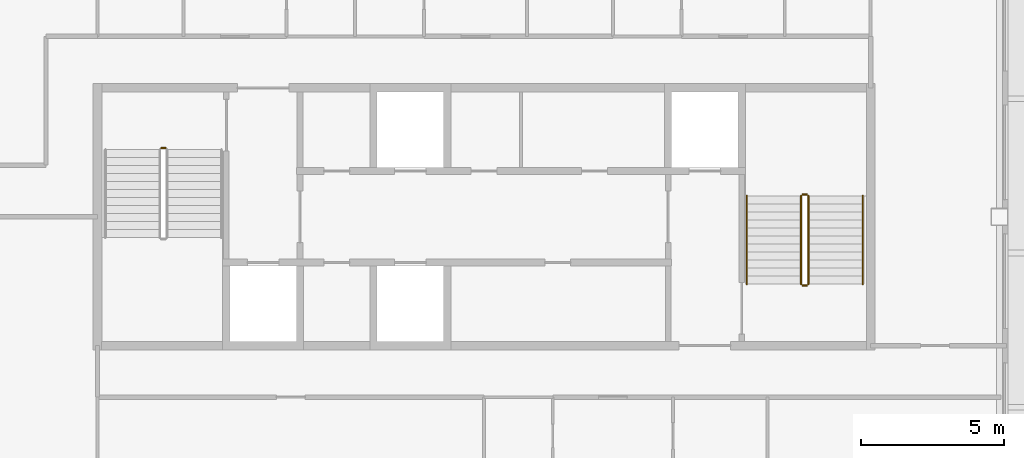
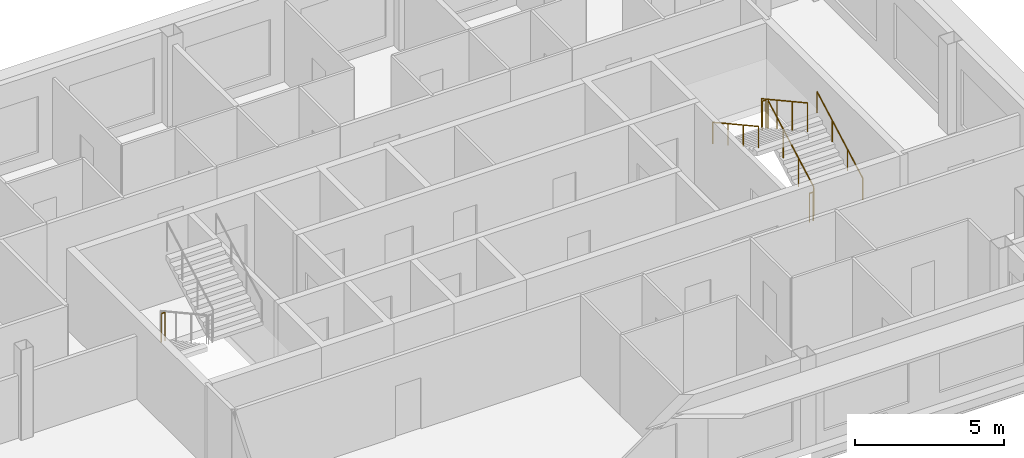
# One storey, part 11 of 11: 7 railings.
"""IFC4 building model written with IfcOpenShell, lengths in metres."""

from ifc_helpers import new_model, si_unit, direction, frame, origin, origin_2d, place, context, subcontext, project, spatial, circle, extrude, material, type_object, element, save


model = new_model("IFC4")

# Units and contexts
model_context = context("Model", 3, precision=1e-05, world=origin(), true_north=direction((0.0, 1.0)))
body_context = subcontext(model_context, "Body", "Model", "MODEL_VIEW")
ifc_project = project(units=[si_unit("LENGTHUNIT", "METRE"), si_unit("AREAUNIT", "SQUARE_METRE"), si_unit("VOLUMEUNIT", "CUBIC_METRE"), si_unit("PLANEANGLEUNIT", "RADIAN"), si_unit("MASSUNIT", "GRAM", prefix="KILO")], contexts=[model_context])

# Site, building, storey
site_placement = place(None, origin())
site = spatial("IfcSite", under=ifc_project, at=site_placement, CompositionType="ELEMENT")
building_placement = place(site_placement, origin())
building = spatial("IfcBuilding", under=site, at=building_placement, Name="Caravel Reach Hotel and Residences", CompositionType="ELEMENT")
storey_placement = place(building_placement, frame((0.0, 0.0, 274.89990234375)))
storey = spatial("IfcBuildingStorey", under=building, at=storey_placement, Name="L70", CompositionType="ELEMENT", Elevation=274.89990234375)

# Railings
ifc_material_1 = material(Name="Steel balustrade with glass infill", Category="steel")
railing_type_1 = type_object("IfcRailingType", Name="Guard 1200", PredefinedType="GUARDRAIL", material=ifc_material_1)
railing_1_placement = place(storey_placement, frame((20.22509765625, 29.39990234375, 0.0)))
element("IfcRailing", 1, at=railing_1_placement, inside=storey, type_object=railing_type_1, Name="L70 ST-A stair guard 4", PredefinedType="GUARDRAIL", context=body_context, shape_type="SweptSolid", body=[
    extrude(circle(Radius=0.02392578125, at=origin_2d()), frame((0.0, 0.0, 1.17578125), z_axis=(1.0, 0.0, 0.0), x_axis=(0.0, 1.0, 0.0)), (0.0, 0.0, 1.0), 0.14990234375),
    extrude(circle(Radius=0.02099609375, at=origin_2d()), origin(), (0.0, 0.0, 1.0), 1.15185546875),
    extrude(circle(Radius=0.02099609375, at=origin_2d()), frame((0.14990234375, 0.0, 0.0)), (0.0, 0.0, 1.0), 1.15185546875),
])
railing_2_placement = place(storey_placement, frame((42.824951171875, 24.64990234375, 0.154296875)))
element("IfcRailing", 2, at=railing_2_placement, inside=storey, type_object=railing_type_1, Name="L70 ST-B stair guard 1", PredefinedType="GUARDRAIL", context=body_context, shape_type="SweptSolid", body=[
    extrude(circle(Radius=0.02392578125, at=origin_2d()), frame((0.0, 0.0, 1.17578125), z_axis=(0.0, 0.876004717809, 0.482302534076), x_axis=(-1.0, 0.0, 0.0)), (0.0, 0.0, 1.0), 3.51611328125),
    extrude(circle(Radius=0.02099609375, at=origin_2d()), origin(), (0.0, 0.0, 1.0), 1.15185546875),
    extrude(circle(Radius=0.02099609375, at=origin_2d()), frame((0.0, 1.026611328125, 0.565185546875)), (0.0, 0.0, 1.0), 1.15185546875),
    extrude(circle(Radius=0.02099609375, at=origin_2d()), frame((0.0, 2.053466796875, 1.130615234375)), (0.0, 0.0, 1.0), 1.15185546875),
    extrude(circle(Radius=0.02099609375, at=origin_2d()), frame((0.0, 3.080078125, 1.69580078125)), (0.0, 0.0, 1.0), 1.15185546875),
])
railing_3_placement = place(storey_placement, frame((42.77490234375, 27.780029296875, 1.85009765625)))
element("IfcRailing", 3, at=railing_3_placement, inside=storey, type_object=railing_type_1, Name="L70 ST-B stair guard 2", PredefinedType="GUARDRAIL", context=body_context, shape_type="SweptSolid", body=[
    extrude(circle(Radius=0.02392578125, at=origin_2d()), frame((0.0, 0.0, 1.17578125), z_axis=(-1.0, 0.0, 0.0), x_axis=(0.0, -1.0, 0.0)), (0.0, 0.0, 1.0), 0.14990234375),
    extrude(circle(Radius=0.02099609375, at=origin_2d()), origin(), (0.0, 0.0, 1.0), 1.15185546875),
    extrude(circle(Radius=0.02099609375, at=origin_2d()), frame((-0.14990234375, 0.0, 0.0)), (0.0, 0.0, 1.0), 1.15185546875),
])
railing_4_placement = place(storey_placement, frame((42.574951171875, 27.72998046875, 2.004150390625)))
element("IfcRailing", 4, at=railing_4_placement, inside=storey, type_object=railing_type_1, Name="L70 ST-B stair guard 3", PredefinedType="GUARDRAIL", context=body_context, shape_type="SweptSolid", body=[
    extrude(circle(Radius=0.02392578125, at=origin_2d()), frame((0.0, 0.0, 1.17578125), z_axis=(0.0, -0.875975380505, 0.482355815502), x_axis=(1.0, 0.0, 0.0)), (0.0, 0.0, 1.0), 3.51611328125),
    extrude(circle(Radius=0.02099609375, at=origin_2d()), origin(), (0.0, 0.0, 1.0), 1.15185546875),
    extrude(circle(Radius=0.02099609375, at=origin_2d()), frame((0.0, -1.026611328125, 0.5654296875)), (0.0, 0.0, 1.0), 1.15185546875),
    extrude(circle(Radius=0.02099609375, at=origin_2d()), frame((0.0, -2.053466796875, 1.130615234375)), (0.0, 0.0, 1.0), 1.15185546875),
    extrude(circle(Radius=0.02099609375, at=origin_2d()), frame((0.0, -3.080078125, 1.696044921875)), (0.0, 0.0, 1.0), 1.15185546875),
])
railing_5_placement = place(storey_placement, frame((42.77490234375, 24.60009765625, 0.0)))
element("IfcRailing", 5, at=railing_5_placement, inside=storey, type_object=railing_type_1, Name="L70 ST-B stair guard 4", PredefinedType="GUARDRAIL", context=body_context, shape_type="SweptSolid", body=[
    extrude(circle(Radius=0.02392578125, at=origin_2d()), frame((0.0, 0.0, 1.17578125), z_axis=(-1.0, 0.0, 0.0), x_axis=(0.0, -1.0, 0.0)), (0.0, 0.0, 1.0), 0.14990234375),
    extrude(circle(Radius=0.02099609375, at=origin_2d()), origin(), (0.0, 0.0, 1.0), 1.15185546875),
    extrude(circle(Radius=0.02099609375, at=origin_2d()), frame((-0.14990234375, 0.0, 0.0)), (0.0, 0.0, 1.0), 1.15185546875),
])
ifc_material_2 = material(Name="Stainless steel handrail", Category="steel")
railing_type_2 = type_object("IfcRailingType", Name="Handrail 900", PredefinedType="HANDRAIL", material=ifc_material_2)
railing_6_placement = place(storey_placement, frame((44.72509765625, 24.64990234375, 0.154296875)))
element("IfcRailing", 6, at=railing_6_placement, inside=storey, type_object=railing_type_2, Name="L70 ST-B stair handrail 1", PredefinedType="HANDRAIL", context=body_context, shape_type="SweptSolid", body=[
    extrude(circle(Radius=0.02392578125, at=origin_2d()), frame((0.0, 0.0, 0.8759765625), z_axis=(0.0, 0.876004717809, 0.482302534076), x_axis=(-1.0, 0.0, 0.0)), (0.0, 0.0, 1.0), 3.51611328125),
    extrude(circle(Radius=0.02099609375, at=origin_2d()), origin(), (0.0, 0.0, 1.0), 0.851806640625),
    extrude(circle(Radius=0.02099609375, at=origin_2d()), frame((0.0, 1.026611328125, 0.565185546875)), (0.0, 0.0, 1.0), 0.851806640625),
    extrude(circle(Radius=0.02099609375, at=origin_2d()), frame((0.0, 2.053466796875, 1.130615234375)), (0.0, 0.0, 1.0), 0.851806640625),
    extrude(circle(Radius=0.02099609375, at=origin_2d()), frame((0.0, 3.080078125, 1.69580078125)), (0.0, 0.0, 1.0), 0.851806640625),
])
railing_7_placement = place(storey_placement, frame((40.675048828125, 27.72998046875, 2.004150390625)))
element("IfcRailing", 7, at=railing_7_placement, inside=storey, type_object=railing_type_2, Name="L70 ST-B stair handrail 2", PredefinedType="HANDRAIL", context=body_context, shape_type="SweptSolid", body=[
    extrude(circle(Radius=0.02392578125, at=origin_2d()), frame((0.0, 0.0, 0.8759765625), z_axis=(0.0, -0.875975380505, 0.482355815502), x_axis=(1.0, 0.0, 0.0)), (0.0, 0.0, 1.0), 3.51611328125),
    extrude(circle(Radius=0.02099609375, at=origin_2d()), origin(), (0.0, 0.0, 1.0), 0.851806640625),
    extrude(circle(Radius=0.02099609375, at=origin_2d()), frame((0.0, -1.026611328125, 0.5654296875)), (0.0, 0.0, 1.0), 0.851806640625),
    extrude(circle(Radius=0.02099609375, at=origin_2d()), frame((0.0, -2.053466796875, 1.130615234375)), (0.0, 0.0, 1.0), 0.851806640625),
    extrude(circle(Radius=0.02099609375, at=origin_2d()), frame((0.0, -3.080078125, 1.696044921875)), (0.0, 0.0, 1.0), 0.851806640625),
])

save(model, "model.ifc")
